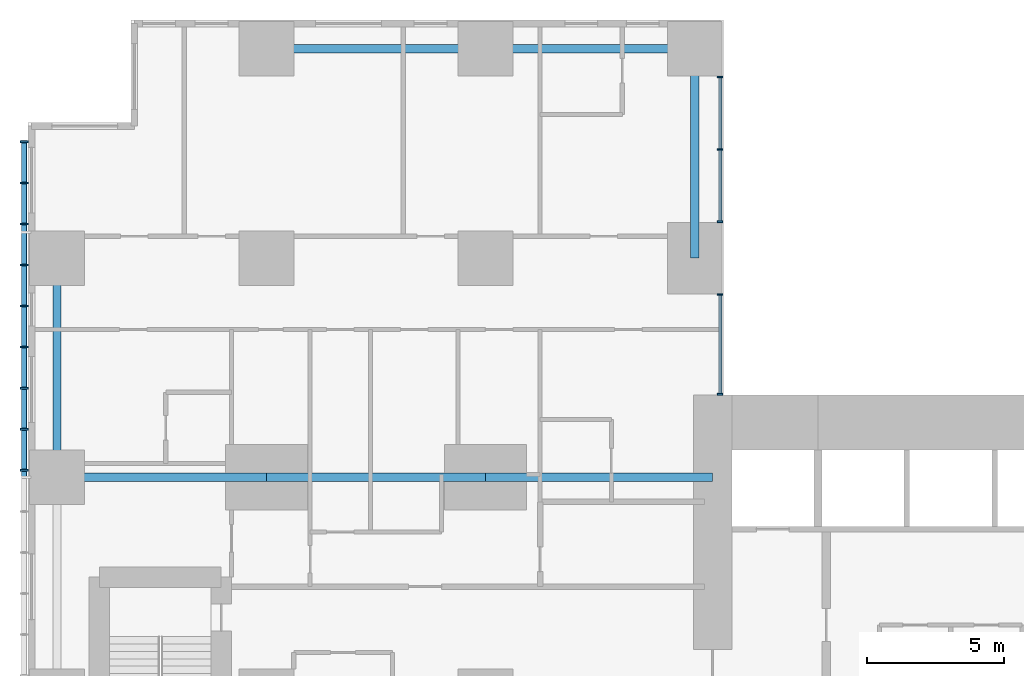
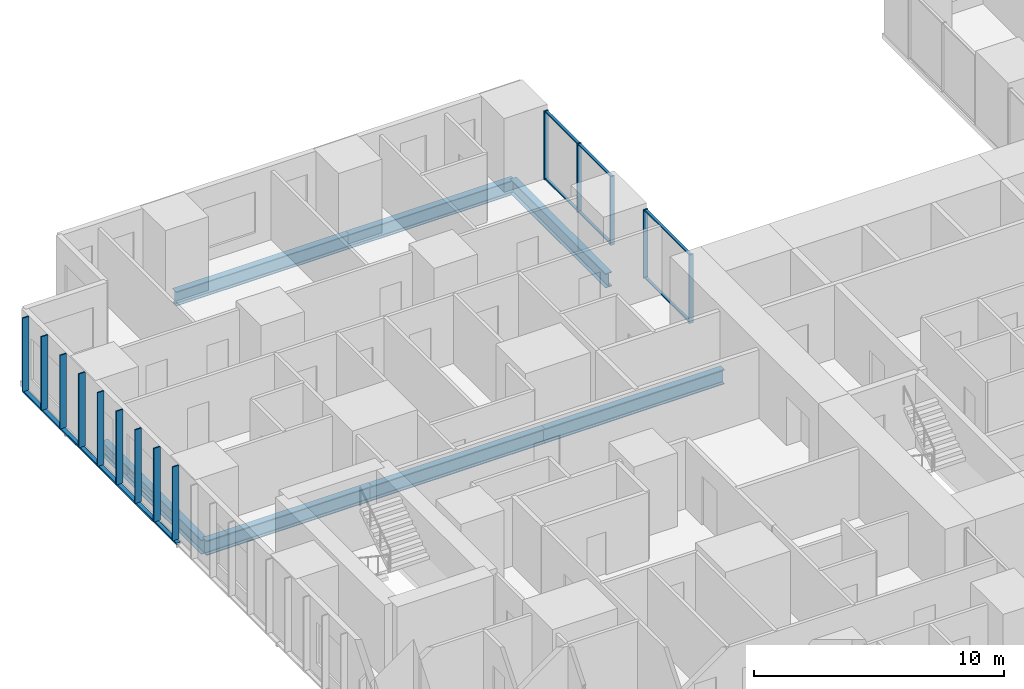
# One storey, part 4 of 20: 21 members, 7 beams, 2 elements without a shape of their own.
"""IFC4 building model written with IfcOpenShell, lengths in metres."""

from ifc_helpers import new_model, si_unit, direction, frame, origin, origin_2d, place, context, subcontext, project, spatial, rectangle, hollow_rectangle, i_section, extrude, material, layer, layer_set, material_profile, profile_set, type_object, element, aggregate, save


model = new_model("IFC4")

# Units and contexts
model_context = context("Model", 3, precision=1e-05, world=origin(), true_north=direction((0.0, 1.0)))
body_context = subcontext(model_context, "Body", "Model", "MODEL_VIEW")
ifc_project = project(units=[si_unit("LENGTHUNIT", "METRE"), si_unit("AREAUNIT", "SQUARE_METRE"), si_unit("VOLUMEUNIT", "CUBIC_METRE"), si_unit("PLANEANGLEUNIT", "RADIAN"), si_unit("MASSUNIT", "GRAM", prefix="KILO")], contexts=[model_context])

# Site, building, storey
site_placement = place(None, origin())
site = spatial("IfcSite", under=ifc_project, at=site_placement, CompositionType="ELEMENT")
building_placement = place(site_placement, origin())
building = spatial("IfcBuilding", under=site, at=building_placement, Name="Cleftline Residences", CompositionType="ELEMENT")
storey_placement = place(building_placement, frame((0.0, 0.0, 51.199951171875)))
storey = spatial("IfcBuildingStorey", under=building, at=storey_placement, Name="L12", CompositionType="ELEMENT", Elevation=51.199951171875)

# Member
ifc_material_1 = material(Name="Steel S355, hot-dip galvanised", Category="steel")
ifc_material_profile_1 = material_profile(ifc_material_1, hollow_rectangle(XDim=0.10009765625, YDim=0.199951171875, WallThickness=0.008056640625, InnerFilletRadius=0.008056640625, OuterFilletRadius=0.011962890625, at=origin_2d()))
ifc_profile_set_1 = profile_set([ifc_material_profile_1], Name="Steel S355, hot-dip galvanised")
member_type_1 = type_object("IfcMemberType", Name="BAGUETTE CARRIER RHS 200X100X8", PredefinedType="USERDEFINED", material=ifc_profile_set_1)
member_1_placement = place(storey_placement, frame((-0.85009765625, 44.300048828125, -0.050048828125), z_axis=(0.0, -1.0, 0.0), x_axis=(0.0, 0.0, 1.0)))
element("IfcMember", 1, at=member_1_placement, inside=storey, type_object=member_type_1, Name="Baguette carrier", ObjectType="BAGUETTE CARRIER", PredefinedType="USERDEFINED", context=body_context, shape_type="SweptSolid", body=[
    extrude(hollow_rectangle(XDim=0.10009765625, YDim=0.199951171875, WallThickness=0.008056640625, InnerFilletRadius=0.008056640625, OuterFilletRadius=0.011962890625, at=origin_2d()), origin(), (0.0, 0.0, 1.0), 12.300048828125),
])

# Beams
ifc_material_2 = material(Name="Steel S355", Category="steel")
ifc_material_profile_2 = material_profile(ifc_material_2, i_section(OverallWidth=0.300048828125, OverallDepth=0.699951171875, WebThickness=0.01708984375, FlangeThickness=0.031982421875, FilletRadius=0.027099609375, at=origin_2d()))
ifc_profile_set_2 = profile_set([ifc_material_profile_2], Name="Steel S355")
beam_type_1 = type_object("IfcBeamType", Name="BEAM HEB 700", PredefinedType="BEAM", material=ifc_profile_set_2)
for number, where, z_axis, x_axis, name in (
    (2, (0.35009765625, 32.0, -0.599853515625), (0.0, 1.0, 0.0), (-1.0, 0.0, 0.0), "Edge beam"),
    (3, (8.0, 47.64990234375, -0.599853515625), (1.0, 0.0, 0.0), (0.0, 1.0, 0.0), "Edge beam"),
):
    element("IfcBeam", number, at=place(storey_placement, frame(where, z_axis=z_axis, x_axis=x_axis)), inside=storey, type_object=beam_type_1, Name=name, PredefinedType="BEAM", context=body_context, shape_type="SweptSolid", body=[
        extrude(i_section(OverallWidth=0.300048828125, OverallDepth=0.699951171875, WebThickness=0.01708984375, FlangeThickness=0.031982421875, FilletRadius=0.027099609375, at=origin_2d()), origin(), (0.0, 0.0, 1.0), 8.0),
    ])
for number, where, z_axis, x_axis, name in (
    (4, (16.0, 47.64990234375, -0.599853515625), (1.0, 0.0, 0.0), (0.0, 1.0, 0.0), "Edge beam"),
    (5, (23.64990234375, 47.64990234375, -0.599853515625), (0.0, -1.0, 0.0), (1.0, 0.0, 0.0), "Edge beam"),
):
    element("IfcBeam", number, at=place(storey_placement, frame(where, z_axis=z_axis, x_axis=x_axis)), inside=storey, type_object=beam_type_1, Name=name, PredefinedType="BEAM", context=body_context, shape_type="SweptSolid", body=[
        extrude(i_section(OverallWidth=0.300048828125, OverallDepth=0.699951171875, WebThickness=0.01708984375, FlangeThickness=0.031982421875, FilletRadius=0.027099609375, at=origin_2d()), origin(), (0.0, 0.0, 1.0), 7.64990234375),
    ])
ifc_material_3 = material(Name="Steel S355", Category="steel")
ifc_material_profile_3 = material_profile(ifc_material_3, i_section(OverallWidth=0.303955078125, OverallDepth=0.716064453125, WebThickness=0.02099609375, FlangeThickness=0.0400390625, FilletRadius=0.027099609375, at=origin_2d()))
ifc_profile_set_3 = profile_set([ifc_material_profile_3], Name="Steel S355")
beam_type_2 = type_object("IfcBeamType", Name="BEAM HEM 700", PredefinedType="BEAM", material=ifc_profile_set_3)
beam_1_placement = place(storey_placement, frame((0.35009765625, 32.0, -0.60791015625), z_axis=(1.0, 0.0, 0.0), x_axis=(0.0, 1.0, 0.0)))
element("IfcBeam", 6, at=beam_1_placement, inside=storey, type_object=beam_type_2, Name="Band beam", PredefinedType="BEAM", context=body_context, shape_type="SweptSolid", body=[
    extrude(i_section(OverallWidth=0.303955078125, OverallDepth=0.716064453125, WebThickness=0.02099609375, FlangeThickness=0.0400390625, FilletRadius=0.027099609375, at=origin_2d()), origin(), (0.0, 0.0, 1.0), 7.64990234375),
])
beam_2_placement = place(storey_placement, frame((8.0, 32.0, -0.60791015625), z_axis=(1.0, 0.0, 0.0), x_axis=(0.0, 1.0, 0.0)))
element("IfcBeam", 7, at=beam_2_placement, inside=storey, type_object=beam_type_2, Name="Band beam", PredefinedType="BEAM", context=body_context, shape_type="SweptSolid", body=[
    extrude(i_section(OverallWidth=0.303955078125, OverallDepth=0.716064453125, WebThickness=0.02099609375, FlangeThickness=0.0400390625, FilletRadius=0.027099609375, at=origin_2d()), origin(), (0.0, 0.0, 1.0), 8.0),
])
beam_3_placement = place(storey_placement, frame((16.0, 32.0, -0.60791015625), z_axis=(1.0, 0.0, 0.0), x_axis=(0.0, 1.0, 0.0)))
element("IfcBeam", 8, at=beam_3_placement, inside=storey, type_object=beam_type_2, Name="Band beam", PredefinedType="BEAM", context=body_context, shape_type="SweptSolid", body=[
    extrude(i_section(OverallWidth=0.303955078125, OverallDepth=0.716064453125, WebThickness=0.02099609375, FlangeThickness=0.0400390625, FilletRadius=0.027099609375, at=origin_2d()), origin(), (0.0, 0.0, 1.0), 8.300048828125),
])

# Curtain wall, members
ifc_material_4 = material(Name="Aluminium framed curtain wall", Category="aluminium")
ifc_layer = layer(ifc_material_4, 0.199951171875)
ifc_layer_set = layer_set([ifc_layer], Name="CW1 CLEFT GLAZING")
curtain_wall_type = type_object("IfcCurtainWallType", Name="CW1 CLEFT GLAZING", PredefinedType="NOTDEFINED", material=ifc_layer_set)
curtain_wall_1_placement = place(storey_placement, origin())
curtain_wall_1 = element("IfcCurtainWall", 9, at=curtain_wall_1_placement, inside=storey, type_object=curtain_wall_type, Name="Curtain wall CW1", PredefinedType="NOTDEFINED")
ifc_material_5 = material(Name="Aluminium mullion", Category="aluminium")
ifc_material_profile_4 = material_profile(ifc_material_5, rectangle(XDim=0.199951171875, YDim=0.06005859375, at=origin_2d()))
ifc_profile_set_4 = profile_set([ifc_material_profile_4], Name="Aluminium mullion")
member_type_2 = type_object("IfcMemberType", Name="CW1 MULLION", PredefinedType="MULLION", material=ifc_profile_set_4)
member_2_placement = place(storey_placement, frame((24.574951171875, 35.030029296875, 0.0), z_axis=(0.0, 0.0, 1.0), x_axis=(-1.0, 0.0, 0.0)))
member_2 = element("IfcMember", 10, at=member_2_placement, type_object=member_type_2, Name="CW1 mullion 1", PredefinedType="MULLION", context=body_context, shape_type="SweptSolid", body=[
    extrude(rectangle(XDim=0.199951171875, YDim=0.06005859375, at=origin_2d()), origin(), (0.0, 0.0, 1.0), 3.35009765625),
])
member_3_placement = place(storey_placement, frame((24.574951171875, 38.669921875, 0.0), z_axis=(0.0, 0.0, 1.0), x_axis=(-1.0, 0.0, 0.0)))
member_3 = element("IfcMember", 11, at=member_3_placement, type_object=member_type_2, Name="CW1 mullion 2", PredefinedType="MULLION", context=body_context, shape_type="SweptSolid", body=[
    extrude(rectangle(XDim=0.199951171875, YDim=0.06005859375, at=origin_2d()), origin(), (0.0, 0.0, 1.0), 3.35009765625),
])

curtain_wall_2_placement = place(storey_placement, origin())
curtain_wall_2 = element("IfcCurtainWall", 12, at=curtain_wall_2_placement, inside=storey, type_object=curtain_wall_type, Name="Curtain wall CW1", PredefinedType="NOTDEFINED")
member_4_placement = place(storey_placement, frame((24.574951171875, 41.330078125, 0.0), z_axis=(0.0, 0.0, 1.0), x_axis=(-1.0, 0.0, 0.0)))
member_4 = element("IfcMember", 13, at=member_4_placement, type_object=member_type_2, Name="CW1 mullion 1", PredefinedType="MULLION", context=body_context, shape_type="SweptSolid", body=[
    extrude(rectangle(XDim=0.199951171875, YDim=0.06005859375, at=origin_2d()), origin(), (0.0, 0.0, 1.0), 3.35009765625),
])
member_5_placement = place(storey_placement, frame((24.574951171875, 43.97509765625, 0.0), z_axis=(0.0, 0.0, 1.0), x_axis=(-1.0, 0.0, 0.0)))
member_5 = element("IfcMember", 14, at=member_5_placement, type_object=member_type_2, Name="CW1 mullion 2", PredefinedType="MULLION", context=body_context, shape_type="SweptSolid", body=[
    extrude(rectangle(XDim=0.199951171875, YDim=0.06005859375, at=origin_2d()), origin(), (0.0, 0.0, 1.0), 3.35009765625),
])
member_6_placement = place(storey_placement, frame((24.574951171875, 46.6201171875, 0.0), z_axis=(0.0, 0.0, 1.0), x_axis=(-1.0, 0.0, 0.0)))
member_6 = element("IfcMember", 15, at=member_6_placement, type_object=member_type_2, Name="CW1 mullion 3", PredefinedType="MULLION", context=body_context, shape_type="SweptSolid", body=[
    extrude(rectangle(XDim=0.199951171875, YDim=0.06005859375, at=origin_2d()), origin(), (0.0, 0.0, 1.0), 3.35009765625),
])

# Member
ifc_material_6 = material(Name="Aluminium transom", Category="aluminium")
ifc_material_profile_5 = material_profile(ifc_material_6, rectangle(XDim=0.1201171875, YDim=0.06005859375, at=origin_2d()))
ifc_profile_set_5 = profile_set([ifc_material_profile_5], Name="Aluminium transom")
member_type_3 = type_object("IfcMemberType", Name="CW1 TRANSOM", PredefinedType="USERDEFINED", material=ifc_profile_set_5)
member_7_placement = place(storey_placement, frame((24.574951171875, 35.06005859375, 0.030029296875), z_axis=(0.0, 1.0, 0.0), x_axis=(-1.0, 0.0, 0.0)))
member_7 = element("IfcMember", 16, at=member_7_placement, type_object=member_type_3, Name="CW1 transom 1.1", ObjectType="TRANSOM", PredefinedType="USERDEFINED", context=body_context, shape_type="SweptSolid", body=[
    extrude(rectangle(XDim=0.1201171875, YDim=0.06005859375, at=origin_2d()), origin(), (0.0, 0.0, 1.0), 3.579833984375),
])

member_8_placement = place(storey_placement, frame((24.574951171875, 35.06005859375, 3.320068359375), z_axis=(0.0, 1.0, 0.0), x_axis=(-1.0, 0.0, 0.0)))
member_8 = element("IfcMember", 17, at=member_8_placement, type_object=member_type_3, Name="CW1 transom 1.2", ObjectType="TRANSOM", PredefinedType="USERDEFINED", context=body_context, shape_type="SweptSolid", body=[
    extrude(rectangle(XDim=0.1201171875, YDim=0.06005859375, at=origin_2d()), origin(), (0.0, 0.0, 1.0), 3.579833984375),
])

aggregate(curtain_wall_1, [member_2, member_3, member_7, member_8])

member_9_placement = place(storey_placement, frame((24.574951171875, 41.360107421875, 0.030029296875), z_axis=(0.0, 1.0, 0.0), x_axis=(-1.0, 0.0, 0.0)))
member_9 = element("IfcMember", 18, at=member_9_placement, type_object=member_type_3, Name="CW1 transom 1.1", ObjectType="TRANSOM", PredefinedType="USERDEFINED", context=body_context, shape_type="SweptSolid", body=[
    extrude(rectangle(XDim=0.1201171875, YDim=0.06005859375, at=origin_2d()), origin(), (0.0, 0.0, 1.0), 2.5849609375),
])

member_10_placement = place(storey_placement, frame((24.574951171875, 41.360107421875, 3.320068359375), z_axis=(0.0, 1.0, 0.0), x_axis=(-1.0, 0.0, 0.0)))
member_10 = element("IfcMember", 19, at=member_10_placement, type_object=member_type_3, Name="CW1 transom 1.2", ObjectType="TRANSOM", PredefinedType="USERDEFINED", context=body_context, shape_type="SweptSolid", body=[
    extrude(rectangle(XDim=0.1201171875, YDim=0.06005859375, at=origin_2d()), origin(), (0.0, 0.0, 1.0), 2.5849609375),
])

member_11_placement = place(storey_placement, frame((24.574951171875, 44.0048828125, 0.030029296875), z_axis=(0.0, 1.0, 0.0), x_axis=(-1.0, 0.0, 0.0)))
member_11 = element("IfcMember", 20, at=member_11_placement, type_object=member_type_3, Name="CW1 transom 2.1", ObjectType="TRANSOM", PredefinedType="USERDEFINED", context=body_context, shape_type="SweptSolid", body=[
    extrude(rectangle(XDim=0.1201171875, YDim=0.06005859375, at=origin_2d()), origin(), (0.0, 0.0, 1.0), 2.585205078125),
])

member_12_placement = place(storey_placement, frame((24.574951171875, 44.0048828125, 3.320068359375), z_axis=(0.0, 1.0, 0.0), x_axis=(-1.0, 0.0, 0.0)))
member_12 = element("IfcMember", 21, at=member_12_placement, type_object=member_type_3, Name="CW1 transom 2.2", ObjectType="TRANSOM", PredefinedType="USERDEFINED", context=body_context, shape_type="SweptSolid", body=[
    extrude(rectangle(XDim=0.1201171875, YDim=0.06005859375, at=origin_2d()), origin(), (0.0, 0.0, 1.0), 2.585205078125),
])

aggregate(curtain_wall_2, [member_4, member_5, member_6, member_9, member_10, member_11, member_12])

# Members
ifc_material_7 = material(Name="Extruded terracotta", Category="masonry")
ifc_material_profile_6 = material_profile(ifc_material_7, rectangle(XDim=0.06005859375, YDim=0.300048828125, at=origin_2d()))
ifc_profile_set_6 = profile_set([ifc_material_profile_6], Name="Extruded terracotta")
member_type_4 = type_object("IfcMemberType", Name="TERRACOTTA BAGUETTE 60X300", PredefinedType="USERDEFINED", material=ifc_profile_set_6)
for number, where, z_axis, x_axis, name in (
    (22, (-0.85009765625, 44.25, 0.0), (0.0, 0.0, 1.0), (0.0, 1.0, 0.0), "Terracotta baguette"),
    (23, (-0.85009765625, 42.75, 0.0), (0.0, 0.0, 1.0), (0.0, 1.0, 0.0), "Terracotta baguette"),
    (24, (-0.85009765625, 41.25, 0.0), (0.0, 0.0, 1.0), (0.0, 1.0, 0.0), "Terracotta baguette"),
    (25, (-0.85009765625, 39.75, 0.0), (0.0, 0.0, 1.0), (0.0, 1.0, 0.0), "Terracotta baguette"),
    (26, (-0.85009765625, 38.25, 0.0), (0.0, 0.0, 1.0), (0.0, 1.0, 0.0), "Terracotta baguette"),
    (27, (-0.85009765625, 36.75, 0.0), (0.0, 0.0, 1.0), (0.0, 1.0, 0.0), "Terracotta baguette"),
    (28, (-0.85009765625, 35.25, 0.0), (0.0, 0.0, 1.0), (0.0, 1.0, 0.0), "Terracotta baguette"),
    (29, (-0.85009765625, 33.75, 0.0), (0.0, 0.0, 1.0), (0.0, 1.0, 0.0), "Terracotta baguette"),
    (30, (-0.85009765625, 32.25, 0.0), (0.0, 0.0, 1.0), (0.0, 1.0, 0.0), "Terracotta baguette"),
):
    element("IfcMember", number, at=place(storey_placement, frame(where, z_axis=z_axis, x_axis=x_axis)), inside=storey, type_object=member_type_4, Name=name, ObjectType="BAGUETTE", PredefinedType="USERDEFINED", context=body_context, shape_type="SweptSolid", body=[
        extrude(rectangle(XDim=0.06005859375, YDim=0.300048828125, at=origin_2d()), origin(), (0.0, 0.0, 1.0), 3.60009765625),
    ])

save(model, "model.ifc")
